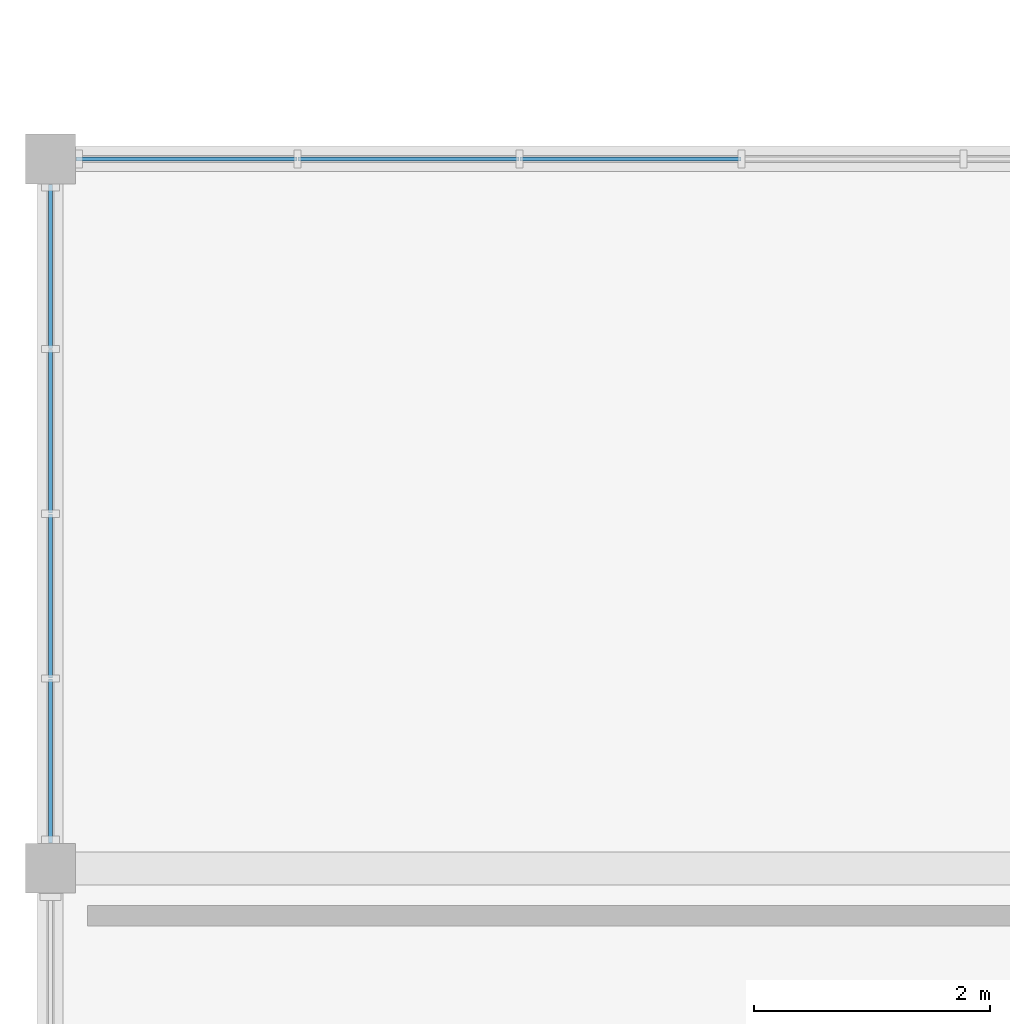
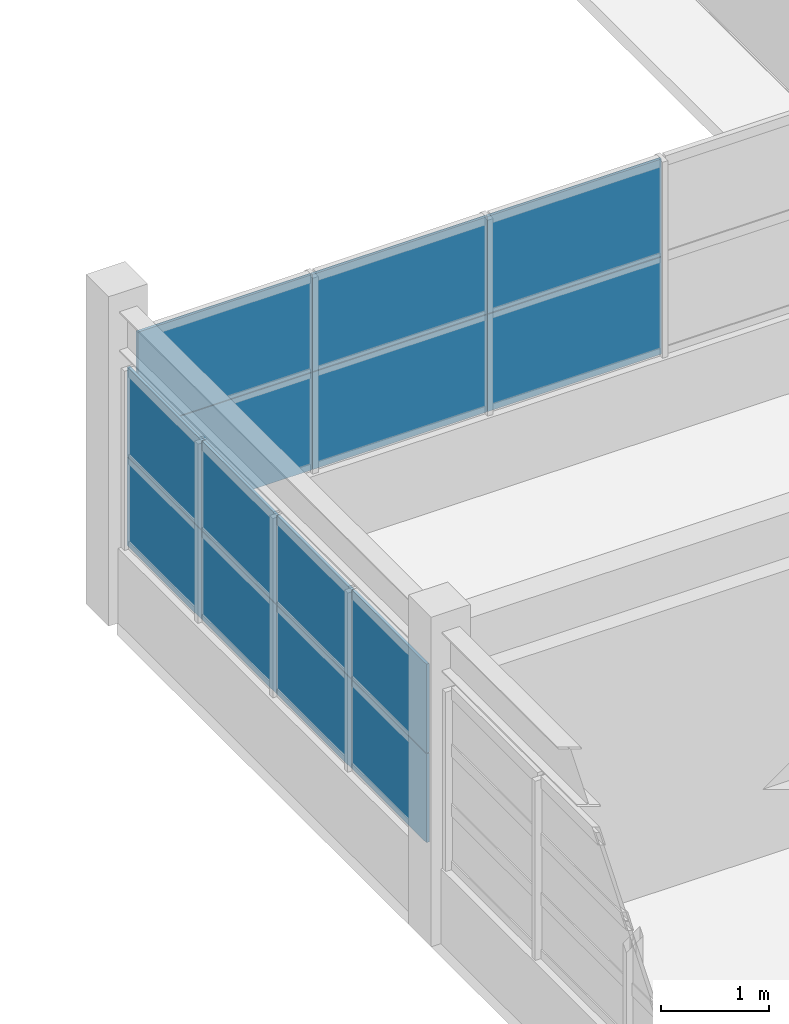
# One storey, part 12 of 25: 14 plates, 2 elements without a shape of their own.
"""IFC4 building model written with IfcOpenShell, lengths in metres."""

from ifc_helpers import new_model, si_unit, direction, frame, origin, origin_2d, place, context, subcontext, project, spatial, rectangle, extrude, material, layer, layer_set, type_object, element, aggregate, save


model = new_model("IFC4")

# Units and contexts
model_context = context("Model", 3, precision=1e-05, world=origin(), true_north=direction((0.0, 1.0)))
body_context = subcontext(model_context, "Body", "Model", "MODEL_VIEW")
ifc_project = project(units=[si_unit("LENGTHUNIT", "METRE"), si_unit("AREAUNIT", "SQUARE_METRE"), si_unit("VOLUMEUNIT", "CUBIC_METRE"), si_unit("PLANEANGLEUNIT", "RADIAN"), si_unit("MASSUNIT", "GRAM", prefix="KILO")], contexts=[model_context])

# Site, building, storey
site_placement = place(None, origin())
site = spatial("IfcSite", under=ifc_project, at=site_placement, CompositionType="ELEMENT")
building_placement = place(site_placement, origin())
building = spatial("IfcBuilding", under=site, at=building_placement, Name="Nzembalo Square Collegiate School", CompositionType="ELEMENT")
storey_placement = place(building_placement, frame((0.0, 0.0, 21.080078125)))
storey = spatial("IfcBuildingStorey", under=building, at=storey_placement, Name="L05", CompositionType="ELEMENT", Elevation=21.080078125)

# Curtain wall, plates
ifc_material_1 = material(Name="Aluminium 6060-T66", Category="aluminium")
curtain_wall_type_1 = type_object("IfcCurtainWallType", Name="CW-07", PredefinedType="USERDEFINED", material=ifc_material_1)
curtain_wall_1_placement = place(storey_placement, origin())
curtain_wall_1 = element("IfcCurtainWall", 1, at=curtain_wall_1_placement, inside=storey, type_object=curtain_wall_type_1, Name="Curtain wall CW-07 cw:L05:158", ObjectType="LANCET", PredefinedType="USERDEFINED")
ifc_material_2 = material(Name="Acoustic laminated solar-control glazing", Category="glass")
ifc_layer = layer(ifc_material_2, 0.031982421875, Name="Acoustic laminated solar-control glazing")
ifc_layer_set = layer_set([ifc_layer], Name="Acoustic laminated solar-control glazing")
plate_type = type_object("IfcPlateType", Name="PN02", PredefinedType="CURTAIN_PANEL", material=ifc_layer_set)
plate_1_placement = place(storey_placement, frame((130.800048828125, 45.30908203125, 0.85400390625), z_axis=(0.0, 0.0, 1.0), x_axis=(0.0, 1.0, 0.0)))
plate_1 = element("IfcPlate", 2, at=plate_1_placement, type_object=plate_type, Name="PN02 glazed panel 1-1", PredefinedType="CURTAIN_PANEL", context=body_context, shape_type="SweptSolid", body=[
    extrude(rectangle(XDim=1.385986328125, YDim=0.031982421875, at=origin_2d()), origin(), (0.0, 0.0, 1.0), 1.009033203125),
])
plate_2_placement = place(storey_placement, frame((130.800048828125, 46.702880859375, 0.85400390625), z_axis=(0.0, 0.0, 1.0), x_axis=(0.0, 1.0, 0.0)))
plate_2 = element("IfcPlate", 3, at=plate_2_placement, type_object=plate_type, Name="PN02 glazed panel 1-2", PredefinedType="CURTAIN_PANEL", context=body_context, shape_type="SweptSolid", body=[
    extrude(rectangle(XDim=1.385986328125, YDim=0.031982421875, at=origin_2d()), origin(), (0.0, 0.0, 1.0), 1.009033203125),
])
plate_3_placement = place(storey_placement, frame((130.800048828125, 48.096923828125, 0.85400390625), z_axis=(0.0, 0.0, 1.0), x_axis=(0.0, 1.0, 0.0)))
plate_3 = element("IfcPlate", 4, at=plate_3_placement, type_object=plate_type, Name="PN02 glazed panel 1-3", PredefinedType="CURTAIN_PANEL", context=body_context, shape_type="SweptSolid", body=[
    extrude(rectangle(XDim=1.385986328125, YDim=0.031982421875, at=origin_2d()), origin(), (0.0, 0.0, 1.0), 1.009033203125),
])
plate_4_placement = place(storey_placement, frame((130.800048828125, 49.490966796875, 0.85400390625), z_axis=(0.0, 0.0, 1.0), x_axis=(0.0, 1.0, 0.0)))
plate_4 = element("IfcPlate", 5, at=plate_4_placement, type_object=plate_type, Name="PN02 glazed panel 1-4", PredefinedType="CURTAIN_PANEL", context=body_context, shape_type="SweptSolid", body=[
    extrude(rectangle(XDim=1.385986328125, YDim=0.031982421875, at=origin_2d()), origin(), (0.0, 0.0, 1.0), 1.009033203125),
])
plate_5_placement = place(storey_placement, frame((130.800048828125, 45.30908203125, 1.87109375), z_axis=(0.0, 0.0, 1.0), x_axis=(0.0, 1.0, 0.0)))
plate_5 = element("IfcPlate", 6, at=plate_5_placement, type_object=plate_type, Name="PN02 glazed panel 2-1", PredefinedType="CURTAIN_PANEL", context=body_context, shape_type="SweptSolid", body=[
    extrude(rectangle(XDim=1.385986328125, YDim=0.031982421875, at=origin_2d()), origin(), (0.0, 0.0, 1.0), 1.009033203125),
])
plate_6_placement = place(storey_placement, frame((130.800048828125, 46.702880859375, 1.87109375), z_axis=(0.0, 0.0, 1.0), x_axis=(0.0, 1.0, 0.0)))
plate_6 = element("IfcPlate", 7, at=plate_6_placement, type_object=plate_type, Name="PN02 glazed panel 2-2", PredefinedType="CURTAIN_PANEL", context=body_context, shape_type="SweptSolid", body=[
    extrude(rectangle(XDim=1.385986328125, YDim=0.031982421875, at=origin_2d()), origin(), (0.0, 0.0, 1.0), 1.009033203125),
])
plate_7_placement = place(storey_placement, frame((130.800048828125, 48.096923828125, 1.87109375), z_axis=(0.0, 0.0, 1.0), x_axis=(0.0, 1.0, 0.0)))
plate_7 = element("IfcPlate", 8, at=plate_7_placement, type_object=plate_type, Name="PN02 glazed panel 2-3", PredefinedType="CURTAIN_PANEL", context=body_context, shape_type="SweptSolid", body=[
    extrude(rectangle(XDim=1.385986328125, YDim=0.031982421875, at=origin_2d()), origin(), (0.0, 0.0, 1.0), 1.009033203125),
])
plate_8_placement = place(storey_placement, frame((130.800048828125, 49.490966796875, 1.87109375), z_axis=(0.0, 0.0, 1.0), x_axis=(0.0, 1.0, 0.0)))
plate_8 = element("IfcPlate", 9, at=plate_8_placement, type_object=plate_type, Name="PN02 glazed panel 2-4", PredefinedType="CURTAIN_PANEL", context=body_context, shape_type="SweptSolid", body=[
    extrude(rectangle(XDim=1.385986328125, YDim=0.031982421875, at=origin_2d()), origin(), (0.0, 0.0, 1.0), 1.009033203125),
])
aggregate(curtain_wall_1, [plate_1, plate_2, plate_3, plate_4, plate_5, plate_6, plate_7, plate_8])

ifc_material_3 = material(Name="Aluminium 6060-T66", Category="aluminium")
curtain_wall_type_2 = type_object("IfcCurtainWallType", Name="CW-12", PredefinedType="USERDEFINED", material=ifc_material_3)
curtain_wall_2_placement = place(storey_placement, origin())
curtain_wall_2 = element("IfcCurtainWall", 10, at=curtain_wall_2_placement, inside=storey, type_object=curtain_wall_type_2, Name="Curtain wall CW-12 cw:L05:159", ObjectType="LANCET", PredefinedType="USERDEFINED")
plate_9_placement = place(storey_placement, frame((131.95068359375, 50.39990234375, 0.85400390625), z_axis=(0.0, 0.0, 1.0), x_axis=(1.0, 0.0, 0.0)))
plate_9 = element("IfcPlate", 11, at=plate_9_placement, type_object=plate_type, Name="PN02 glazed panel 1-1", PredefinedType="CURTAIN_PANEL", context=body_context, shape_type="SweptSolid", body=[
    extrude(rectangle(XDim=1.86962890625, YDim=0.031982421875, at=origin_2d()), origin(), (0.0, 0.0, 1.0), 1.10400390625),
])
plate_10_placement = place(storey_placement, frame((133.828369140625, 50.39990234375, 0.85400390625), z_axis=(0.0, 0.0, 1.0), x_axis=(1.0, 0.0, 0.0)))
plate_10 = element("IfcPlate", 12, at=plate_10_placement, type_object=plate_type, Name="PN02 glazed panel 1-2", PredefinedType="CURTAIN_PANEL", context=body_context, shape_type="SweptSolid", body=[
    extrude(rectangle(XDim=1.86962890625, YDim=0.031982421875, at=origin_2d()), origin(), (0.0, 0.0, 1.0), 1.10400390625),
])
plate_11_placement = place(storey_placement, frame((135.7060546875, 50.39990234375, 0.85400390625), z_axis=(0.0, 0.0, 1.0), x_axis=(1.0, 0.0, 0.0)))
plate_11 = element("IfcPlate", 13, at=plate_11_placement, type_object=plate_type, Name="PN02 glazed panel 1-3", PredefinedType="CURTAIN_PANEL", context=body_context, shape_type="SweptSolid", body=[
    extrude(rectangle(XDim=1.86962890625, YDim=0.031982421875, at=origin_2d()), origin(), (0.0, 0.0, 1.0), 1.10400390625),
])
plate_12_placement = place(storey_placement, frame((131.95068359375, 50.39990234375, 1.9658203125), z_axis=(0.0, 0.0, 1.0), x_axis=(1.0, 0.0, 0.0)))
plate_12 = element("IfcPlate", 14, at=plate_12_placement, type_object=plate_type, Name="PN02 glazed panel 2-1", PredefinedType="CURTAIN_PANEL", context=body_context, shape_type="SweptSolid", body=[
    extrude(rectangle(XDim=1.86962890625, YDim=0.031982421875, at=origin_2d()), origin(), (0.0, 0.0, 1.0), 1.10400390625),
])
plate_13_placement = place(storey_placement, frame((133.828369140625, 50.39990234375, 1.9658203125), z_axis=(0.0, 0.0, 1.0), x_axis=(1.0, 0.0, 0.0)))
plate_13 = element("IfcPlate", 15, at=plate_13_placement, type_object=plate_type, Name="PN02 glazed panel 2-2", PredefinedType="CURTAIN_PANEL", context=body_context, shape_type="SweptSolid", body=[
    extrude(rectangle(XDim=1.86962890625, YDim=0.031982421875, at=origin_2d()), origin(), (0.0, 0.0, 1.0), 1.10400390625),
])
plate_14_placement = place(storey_placement, frame((135.7060546875, 50.39990234375, 1.9658203125), z_axis=(0.0, 0.0, 1.0), x_axis=(1.0, 0.0, 0.0)))
plate_14 = element("IfcPlate", 16, at=plate_14_placement, type_object=plate_type, Name="PN02 glazed panel 2-3", PredefinedType="CURTAIN_PANEL", context=body_context, shape_type="SweptSolid", body=[
    extrude(rectangle(XDim=1.86962890625, YDim=0.031982421875, at=origin_2d()), origin(), (0.0, 0.0, 1.0), 1.10400390625),
])
aggregate(curtain_wall_2, [plate_9, plate_10, plate_11, plate_12, plate_13, plate_14])

save(model, "model.ifc")
